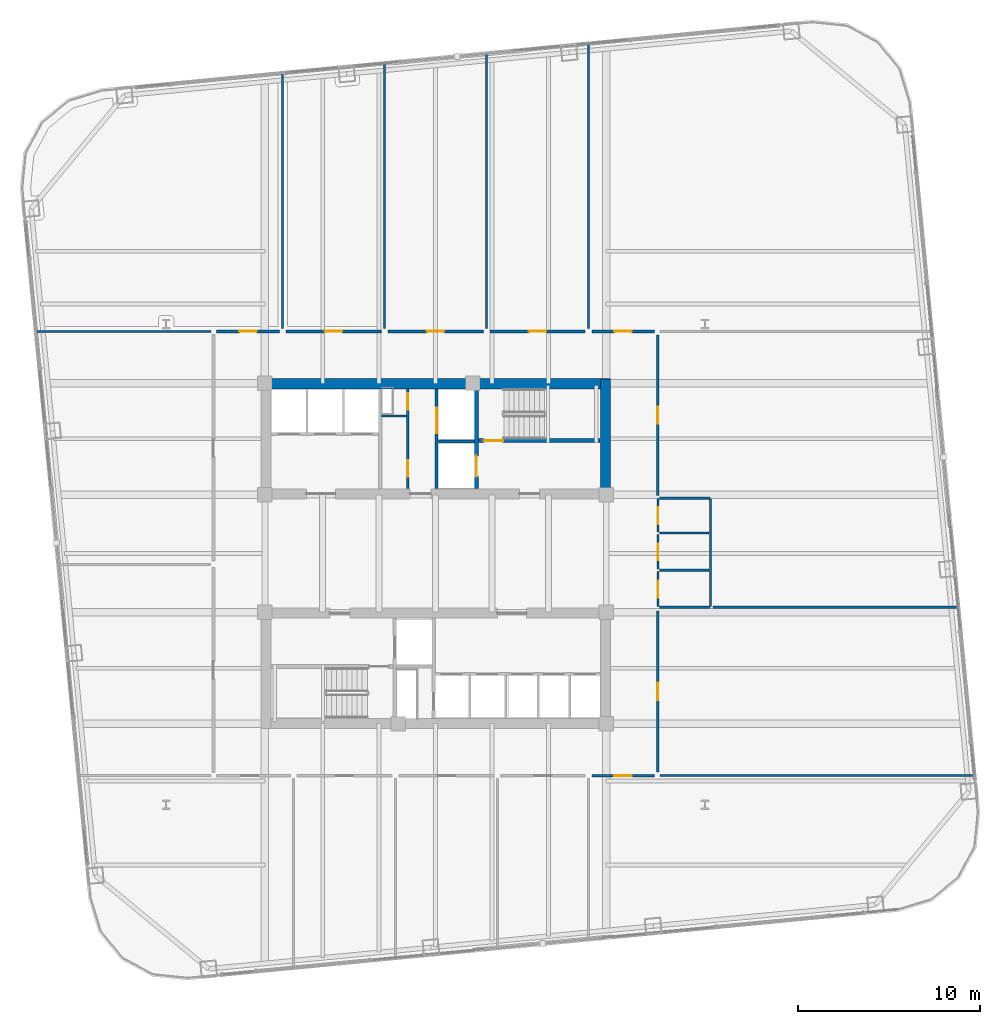
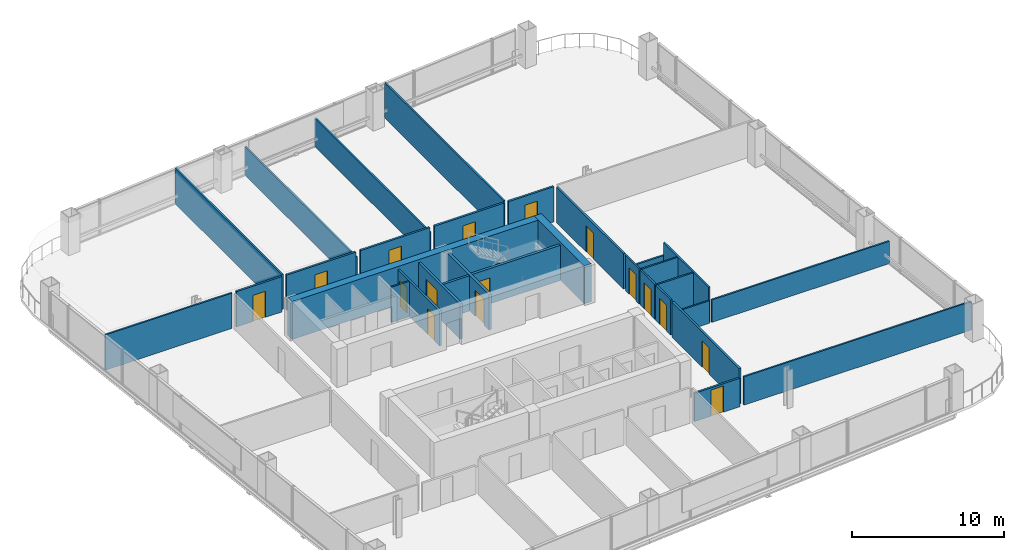
# One storey, part 30 of 34: 31 walls, 16 doors, 16 openings.
"""IFC4 building model written with IfcOpenShell, lengths in metres."""

import ifcopenshell
import ifcopenshell.guid

model = None  # the IFC model being written
_history = None  # IfcOwnerHistory: only IFC2X3 demands one
_inside = {}  # id of a spatial element -> (the spatial element, [elements in it])
_under = {}  # id of a project, library or spatial element -> (it, [spatial elements below it])
_declared = {}  # id of a project -> (the project, [libraries it declares])
_typed = {}  # id of a type object -> (the type object, [elements of that type])
_made_of = {}  # id of a material, layer set ... -> (it, [elements and type objects made of it])


def new_model(schema):
    """Start an empty IFC model of exactly this schema.

    Asked for "IFC4X3", IfcOpenShell would pick the latest addendum, in which some entities
    have other attributes; the version numbers below select the first issue.
    IFC2X3 requires an IfcOwnerHistory on every rooted entity: one is made here for all.
    """
    global model, _history
    if schema == "IFC4X3":
        model = ifcopenshell.file(schema_version=(4, 3, 0, 0))
    else:
        model = ifcopenshell.file(schema=schema)
    _inside.clear()
    _under.clear()
    _declared.clear()
    _typed.clear()
    _made_of.clear()
    _history = None
    if model.schema == "IFC2X3":
        org = make("IfcOrganization", Name="unknown")
        user = make(
            "IfcPersonAndOrganization",
            ThePerson=make("IfcPerson", FamilyName="unknown"),
            TheOrganization=org,
        )
        app = make(
            "IfcApplication",
            ApplicationDeveloper=org,
            Version="unknown",
            ApplicationFullName="unknown",
            ApplicationIdentifier="unknown",
        )
        _history = make(
            "IfcOwnerHistory",
            OwningUser=user,
            OwningApplication=app,
            ChangeAction="ADDED",
            CreationDate=0,
        )
    return model


def make(cls, **values):
    """One entity of the class cls with the attributes given. An attribute that is None is left unset."""
    return model.create_entity(
        cls, **{name: value for name, value in values.items() if value is not None}
    )


def rooted(cls, **values):
    """An entity with a GlobalId (a new one), such as an element, a storey or a relation."""
    return make(cls, GlobalId=ifcopenshell.guid.new(), OwnerHistory=_history, **values)


def si_unit(unit_type, name, prefix=None):
    """IfcSIUnit, for example si_unit("LENGTHUNIT", "METRE", prefix="MILLI")."""
    return make("IfcSIUnit", UnitType=unit_type, Prefix=prefix, Name=name)


def assignment(units):
    """IfcUnitAssignment: the units of a project."""
    return None if units is None else make("IfcUnitAssignment", Units=units)


def point(xyz):
    """IfcCartesianPoint."""
    return None if xyz is None else make("IfcCartesianPoint", Coordinates=xyz)


def direction(xyz):
    """IfcDirection."""
    return None if xyz is None else make("IfcDirection", DirectionRatios=xyz)


def frame(location, z_axis=None, x_axis=None):
    """IfcAxis2Placement3D, a coordinate frame: its origin and axes. An axis left out is left unset."""
    return make(
        "IfcAxis2Placement3D",
        Location=point(location),
        Axis=direction(z_axis),
        RefDirection=direction(x_axis),
    )


def frame_2d(location, x_axis=None):
    """IfcAxis2Placement2D, a coordinate frame in the plane: its origin and x axis."""
    return make(
        "IfcAxis2Placement2D", Location=point(location), RefDirection=direction(x_axis)
    )


def origin():
    """The frame at (0, 0, 0) with its axes left unset."""
    return frame((0.0, 0.0, 0.0))


def place(relative_to, where):
    """IfcLocalPlacement: puts the frame where relative to a parent placement (None: the world)."""
    return make(
        "IfcLocalPlacement", PlacementRelTo=relative_to, RelativePlacement=where
    )


def context(
    kind, dimensions, precision=None, world=None, true_north=None, identifier=None
):
    """IfcGeometricRepresentationContext, for example the 3D "Model" context."""
    return make(
        "IfcGeometricRepresentationContext",
        ContextIdentifier=identifier,
        ContextType=kind,
        CoordinateSpaceDimension=dimensions,
        Precision=precision,
        WorldCoordinateSystem=world,
        TrueNorth=true_north,
    )


def subcontext(parent, identifier, kind, view, scale=None):
    """IfcGeometricRepresentationSubContext, for example "Body" below "Model"."""
    return make(
        "IfcGeometricRepresentationSubContext",
        ContextIdentifier=identifier,
        ContextType=kind,
        ParentContext=parent,
        TargetScale=scale,
        TargetView=view,
    )


def project(units=None, contexts=None):
    """IfcProject with its units and contexts."""
    return rooted(
        "IfcProject",
        Name="project",
        RepresentationContexts=contexts,
        UnitsInContext=assignment(units),
    )


def spatial(cls, under=None, at=None, **own):
    """A site, building, storey or space (cls), placed at a placement, below another one or the project."""
    s = rooted(cls, ObjectPlacement=at, **own)
    if under is not None:
        _under.setdefault(under.id(), (under, []))[1].append(s)
    return s


def profile(cls, at=None, kind="AREA", **sizes):
    """A parametric profile (cls). Its sizes go by their IFC names, for example OverallWidth=200.0."""
    return make(cls, ProfileType=kind, Position=at, **sizes)


def rectangle(**sizes):
    """IfcRectangleProfileDef."""
    return profile("IfcRectangleProfileDef", **sizes)


def extrude(swept, where, along, depth):
    """IfcExtrudedAreaSolid: the profile swept, set in the frame where, extruded along a direction by depth."""
    return make(
        "IfcExtrudedAreaSolid",
        SweptArea=swept,
        Position=where,
        ExtrudedDirection=direction(along),
        Depth=depth,
    )


def shape(context_of_items, identifier, shape_type, items):
    """IfcShapeRepresentation: the items that make up one representation, for example the "Body"."""
    return make(
        "IfcShapeRepresentation",
        ContextOfItems=context_of_items,
        RepresentationIdentifier=identifier,
        RepresentationType=shape_type,
        Items=items,
    )


def material(Name=None, Category=None):
    """IfcMaterial."""
    return make("IfcMaterial", Name=Name, Category=Category)


def layer(
    of_material, thickness, ventilated=None, Name=None, Category=None, Priority=None
):
    """IfcMaterialLayer: one layer of a wall or slab, of a material (None: an air gap)."""
    return make(
        "IfcMaterialLayer",
        Material=of_material,
        LayerThickness=thickness,
        IsVentilated=ventilated,
        Name=Name,
        Category=Category,
        Priority=Priority,
    )


def layer_set(layers, Name=None):
    """IfcMaterialLayerSet."""
    return make("IfcMaterialLayerSet", MaterialLayers=layers, LayerSetName=Name)


def made_of(thing, what):
    """Note that an element or type object is made of a material, layer set ...; save() writes the relation."""
    if what is not None:
        _made_of.setdefault(what.id(), (what, []))[1].append(thing)
    return thing


def type_object(cls, material=None, **own):
    """A type object (cls), such as IfcWallType, which elements share."""
    return made_of(rooted(cls, **own), material)


def element(
    cls,
    number,
    at=None,
    inside=None,
    cuts=None,
    type_object=None,
    material=None,
    context=None,
    identifier="Body",
    shape_type=None,
    held_by="IfcProductDefinitionShape",
    body=None,
    shapes=None,
    **own,
):
    """One element of the class cls, such as IfcWall. Its Tag is "e" and its number.

    at: its placement. inside: the storey or other place that contains it. cuts: it is an
    opening in that element (IfcRelVoidsElement). A single representation is given by context,
    identifier, shape_type and body (its items); several are given by shapes. held_by: the class
    of the entity that holds the representations. save() writes the other relations.
    """
    e = rooted(cls, Tag="e%d" % number, ObjectPlacement=at, **own)
    if body is not None:
        shapes = [shape(context, identifier, shape_type, body)]
    if shapes is not None:
        e.Representation = make(held_by, Representations=shapes)
    if inside is not None:
        _inside.setdefault(inside.id(), (inside, []))[1].append(e)
    if cuts is not None:
        rooted(
            "IfcRelVoidsElement", RelatingBuildingElement=cuts, RelatedOpeningElement=e
        )
    if type_object is not None:
        _typed.setdefault(type_object.id(), (type_object, []))[1].append(e)
    return made_of(e, material)


def fill(opening, filler):
    """IfcRelFillsElement: the door or window that sits in an opening."""
    return rooted(
        "IfcRelFillsElement",
        RelatingOpeningElement=opening,
        RelatedBuildingElement=filler,
    )


def aggregate(whole, parts):
    """IfcRelAggregates: a whole, such as a stair, and the parts it consists of."""
    return rooted("IfcRelAggregates", RelatingObject=whole, RelatedObjects=parts)


def save(model, path):
    """Write the relations noted so far, then the file.

    IfcRelAggregates (storeys below a building ...), IfcRelContainedInSpatialStructure (elements
    in a storey), IfcRelDefinesByType, IfcRelAssociatesMaterial and IfcRelDeclares: one each for
    every whole, place, type object, material and project.
    """
    for whole, parts in _under.values():
        aggregate(whole, parts)
    for where, things in _inside.values():
        rooted(
            "IfcRelContainedInSpatialStructure",
            RelatedElements=things,
            RelatingStructure=where,
        )
    for kind, things in _typed.values():
        rooted("IfcRelDefinesByType", RelatedObjects=things, RelatingType=kind)
    for what, things in _made_of.values():
        rooted("IfcRelAssociatesMaterial", RelatedObjects=things, RelatingMaterial=what)
    for by, libraries in _declared.values():
        rooted("IfcRelDeclares", RelatingContext=by, RelatedDefinitions=libraries)
    model.write(path)


model = new_model("IFC4")

# Units and contexts
model_context = context("Model", 3, precision=1e-05, world=origin(), true_north=direction((0.0, 1.0)))
body_context = subcontext(model_context, "Body", "Model", "MODEL_VIEW")
ifc_project = project(units=[si_unit("LENGTHUNIT", "METRE"), si_unit("AREAUNIT", "SQUARE_METRE"), si_unit("VOLUMEUNIT", "CUBIC_METRE"), si_unit("PLANEANGLEUNIT", "RADIAN"), si_unit("MASSUNIT", "GRAM", prefix="KILO")], contexts=[model_context])

# Site, building, storey
site_placement = place(None, origin())
site = spatial("IfcSite", under=ifc_project, at=site_placement, CompositionType="ELEMENT")
building_placement = place(site_placement, origin())
building = spatial("IfcBuilding", under=site, at=building_placement, Name="Qhalaya Broadcast Tower", CompositionType="ELEMENT")
storey_placement = place(building_placement, frame((0.0, 0.0, 78.60009765625)))
storey = spatial("IfcBuildingStorey", under=building, at=storey_placement, Name="L22", CompositionType="ELEMENT", Elevation=78.60009765625)

# Wall, openings, doors
ifc_material_1 = material(Name="Gypsum Acoustic Partition")
ifc_layer_1 = layer(ifc_material_1, 0.14990234375, Name="Gypsum Acoustic Partition")
ifc_layer_set_1 = layer_set([ifc_layer_1], Name="Gypsum Acoustic Partition")
wall_type_1 = type_object("IfcWallType", Name="Corridor & Tenancy Acoustic Partition 150", PredefinedType="PARTITIONING", material=ifc_layer_set_1)
wall_1_placement = place(storey_placement, frame((-1.52001953125, 4.169921875, 0.0), z_axis=(0.0, 0.0, 1.0), x_axis=(0.0, 1.0, 0.0)))
wall_1 = element("IfcWall", 1, at=wall_1_placement, inside=storey, type_object=wall_type_1, Name="L22 Partition Wall NCW-SVL", PredefinedType="PARTITIONING", context=body_context, shape_type="SweptSolid", body=[
    extrude(rectangle(XDim=5.4599609375, YDim=0.14990234375, at=frame_2d((2.72998046875, 0.0))), origin(), (0.0, 0.0, 1.0), 2.829833984375),
])
opening_1_placement = place(wall_1_placement, frame((4.330078125, 0.0, 0.0)))
opening_1 = element("IfcOpeningElement", 2, at=opening_1_placement, cuts=wall_1, Name="Opening D06", PredefinedType="OPENING", context=body_context, shape_type="SweptSolid", body=[
    extrude(rectangle(XDim=0.89990234375, YDim=2.050048828125, at=frame_2d((0.449951171875, 1.02490234375))), frame((0.0, 0.0869140625, 0.0), z_axis=(0.0, -1.0, 0.0), x_axis=(1.0, 0.0, 0.0)), (0.0, 0.0, 1.0), 0.173828125),
])
opening_2_placement = place(wall_1_placement, frame((0.64990234375, 0.0, 0.0)))
opening_2 = element("IfcOpeningElement", 3, at=opening_2_placement, cuts=wall_1, Name="Opening D06", PredefinedType="OPENING", context=body_context, shape_type="SweptSolid", body=[
    extrude(rectangle(XDim=0.89990234375, YDim=2.050048828125, at=frame_2d((0.449951171875, 1.02490234375))), frame((0.0, 0.0869140625, 0.0), z_axis=(0.0, -1.0, 0.0), x_axis=(1.0, 0.0, 0.0)), (0.0, 0.0, 1.0), 0.173828125),
])
ifc_material_2 = material(Name="Fire-Rated Steel Door", Category="steel")
door_type_1 = type_object("IfcDoorType", Name="Riser & Electrical Shaft Access Door D06", OperationType="NOTDEFINED", PredefinedType="DOOR", material=ifc_material_2)
door_1_placement = place(opening_1_placement, origin())
door_1 = element("IfcDoor", 4, at=door_1_placement, inside=storey, type_object=door_type_1, Name="L22 Riser Shaft Access Door D-NRSR", OperationType="SINGLE_SWING_RIGHT", OverallHeight=2.050048828125, OverallWidth=0.89990234375, PredefinedType="DOOR", context=body_context, shape_type="SweptSolid", body=[
    extrude(rectangle(XDim=0.89990234375, YDim=2.050048828125, at=frame_2d((0.449951171875, 1.02490234375))), frame((0.0, 0.02490234375, 0.0), z_axis=(0.0, -1.0, 0.0), x_axis=(1.0, 0.0, 0.0)), (0.0, 0.0, 1.0), 0.050048828125),
])
fill(opening_1, door_1)
door_2_placement = place(opening_2_placement, origin())
door_2 = element("IfcDoor", 5, at=door_2_placement, inside=storey, type_object=door_type_1, Name="L22 Door D-NCST", OperationType="SINGLE_SWING_LEFT", OverallHeight=2.050048828125, OverallWidth=0.89990234375, PredefinedType="DOOR", context=body_context, shape_type="SweptSolid", body=[
    extrude(rectangle(XDim=0.89990234375, YDim=2.050048828125, at=frame_2d((0.449951171875, 1.02490234375))), frame((0.0, 0.02490234375, 0.0), z_axis=(0.0, -1.0, 0.0), x_axis=(1.0, 0.0, 0.0)), (0.0, 0.0, 1.0), 0.050048828125),
])
fill(opening_2, door_2)

# Wall, opening, door
wall_2_placement = place(storey_placement, frame((-12.02001953125, 12.800048828125, 0.0), z_axis=(0.0, 0.0, 1.0), x_axis=(1.0, 0.0, 0.0)))
wall_2 = element("IfcWall", 6, at=wall_2_placement, inside=storey, type_object=wall_type_1, Name="L22 Partition Wall W-COR-01", PredefinedType="PARTITIONING", context=body_context, shape_type="SweptSolid", body=[
    extrude(rectangle(XDim=3.43994140625, YDim=0.14990234375, at=frame_2d((1.719970703125, 0.0))), origin(), (0.0, 0.0, 1.0), 2.829833984375),
])
opening_3_placement = place(wall_2_placement, frame((1.2451171875, 0.0, 0.0)))
opening_3 = element("IfcOpeningElement", 7, at=opening_3_placement, cuts=wall_2, Name="Opening D10", PredefinedType="OPENING", context=body_context, shape_type="SweptSolid", body=[
    extrude(rectangle(XDim=0.949951171875, YDim=2.10009765625, at=frame_2d((0.47509765625, 1.050048828125))), frame((0.0, 0.0869140625, 0.0), z_axis=(0.0, -1.0, 0.0), x_axis=(1.0, 0.0, 0.0)), (0.0, 0.0, 1.0), 0.173828125),
])
ifc_material_3 = material(Name="Timber Veneer Acoustic Door", Category="wood")
door_type_2 = type_object("IfcDoorType", Name="Cellular Office & Edit Booth Door D10", OperationType="NOTDEFINED", PredefinedType="DOOR", material=ifc_material_3)
door_3_placement = place(opening_3_placement, origin())
door_3 = element("IfcDoor", 8, at=door_3_placement, inside=storey, type_object=door_type_2, Name="L22 Door D-RM01", OperationType="SINGLE_SWING_RIGHT", OverallHeight=2.10009765625, OverallWidth=0.949951171875, PredefinedType="DOOR", context=body_context, shape_type="SweptSolid", body=[
    extrude(rectangle(XDim=0.949951171875, YDim=2.10009765625, at=frame_2d((0.47509765625, 1.050048828125))), frame((0.0, 0.02490234375, 0.0), z_axis=(0.0, -1.0, 0.0), x_axis=(1.0, 0.0, 0.0)), (0.0, 0.0, 1.0), 0.050048828125),
])
fill(opening_3, door_3)

wall_3_placement = place(storey_placement, frame((-8.219970703125, 12.800048828125, 0.0), z_axis=(0.0, 0.0, 1.0), x_axis=(1.0, 0.0, 0.0)))
wall_3 = element("IfcWall", 9, at=wall_3_placement, inside=storey, type_object=wall_type_1, Name="L22 Partition Wall W-COR-02", PredefinedType="PARTITIONING", context=body_context, shape_type="SweptSolid", body=[
    extrude(rectangle(XDim=5.239990234375, YDim=0.14990234375, at=frame_2d((2.6201171875, 0.0))), origin(), (0.0, 0.0, 1.0), 2.829833984375),
])
opening_4_placement = place(wall_3_placement, frame((2.14501953125, 0.0, 0.0)))
opening_4 = element("IfcOpeningElement", 10, at=opening_4_placement, cuts=wall_3, Name="Opening D10", PredefinedType="OPENING", context=body_context, shape_type="SweptSolid", body=[
    extrude(rectangle(XDim=0.949951171875, YDim=2.10009765625, at=frame_2d((0.47509765625, 1.050048828125))), frame((0.0, 0.0869140625, 0.0), z_axis=(0.0, -1.0, 0.0), x_axis=(1.0, 0.0, 0.0)), (0.0, 0.0, 1.0), 0.173828125),
])
door_4_placement = place(opening_4_placement, origin())
door_4 = element("IfcDoor", 11, at=door_4_placement, inside=storey, type_object=door_type_2, Name="L22 Door D-RM02", OperationType="SINGLE_SWING_LEFT", OverallHeight=2.10009765625, OverallWidth=0.949951171875, PredefinedType="DOOR", context=body_context, shape_type="SweptSolid", body=[
    extrude(rectangle(XDim=0.949951171875, YDim=2.10009765625, at=frame_2d((0.47509765625, 1.050048828125))), frame((0.0, 0.02490234375, 0.0), z_axis=(0.0, -1.0, 0.0), x_axis=(1.0, 0.0, 0.0)), (0.0, 0.0, 1.0), 0.050048828125),
])
fill(opening_4, door_4)

wall_4_placement = place(storey_placement, frame((-2.6201171875, 12.800048828125, 0.0), z_axis=(0.0, 0.0, 1.0), x_axis=(1.0, 0.0, 0.0)))
wall_4 = element("IfcWall", 12, at=wall_4_placement, inside=storey, type_object=wall_type_1, Name="L22 Partition Wall W-COR-03", PredefinedType="PARTITIONING", context=body_context, shape_type="SweptSolid", body=[
    extrude(rectangle(XDim=5.240234375, YDim=0.14990234375, at=frame_2d((2.6201171875, 0.0))), origin(), (0.0, 0.0, 1.0), 2.829833984375),
])
opening_5_placement = place(wall_4_placement, frame((2.14501953125, 0.0, 0.0)))
opening_5 = element("IfcOpeningElement", 13, at=opening_5_placement, cuts=wall_4, Name="Opening D10", PredefinedType="OPENING", context=body_context, shape_type="SweptSolid", body=[
    extrude(rectangle(XDim=0.949951171875, YDim=2.10009765625, at=frame_2d((0.47509765625, 1.050048828125))), frame((0.0, 0.0869140625, 0.0), z_axis=(0.0, -1.0, 0.0), x_axis=(1.0, 0.0, 0.0)), (0.0, 0.0, 1.0), 0.173828125),
])
door_5_placement = place(opening_5_placement, origin())
door_5 = element("IfcDoor", 14, at=door_5_placement, inside=storey, type_object=door_type_2, Name="L22 Door D-RM03", OperationType="SINGLE_SWING_RIGHT", OverallHeight=2.10009765625, OverallWidth=0.949951171875, PredefinedType="DOOR", context=body_context, shape_type="SweptSolid", body=[
    extrude(rectangle(XDim=0.949951171875, YDim=2.10009765625, at=frame_2d((0.47509765625, 1.050048828125))), frame((0.0, 0.02490234375, 0.0), z_axis=(0.0, -1.0, 0.0), x_axis=(1.0, 0.0, 0.0)), (0.0, 0.0, 1.0), 0.050048828125),
])
fill(opening_5, door_5)

wall_5_placement = place(storey_placement, frame((2.97998046875, 12.800048828125, 0.0), z_axis=(0.0, 0.0, 1.0), x_axis=(1.0, 0.0, 0.0)))
wall_5 = element("IfcWall", 15, at=wall_5_placement, inside=storey, type_object=wall_type_1, Name="L22 Partition Wall W-COR-04", PredefinedType="PARTITIONING", context=body_context, shape_type="SweptSolid", body=[
    extrude(rectangle(XDim=5.239990234375, YDim=0.14990234375, at=frame_2d((2.6201171875, 0.0))), origin(), (0.0, 0.0, 1.0), 2.829833984375),
])
opening_6_placement = place(wall_5_placement, frame((2.14501953125, 0.0, 0.0)))
opening_6 = element("IfcOpeningElement", 16, at=opening_6_placement, cuts=wall_5, Name="Opening D10", PredefinedType="OPENING", context=body_context, shape_type="SweptSolid", body=[
    extrude(rectangle(XDim=0.949951171875, YDim=2.10009765625, at=frame_2d((0.47509765625, 1.050048828125))), frame((0.0, 0.0869140625, 0.0), z_axis=(0.0, -1.0, 0.0), x_axis=(1.0, 0.0, 0.0)), (0.0, 0.0, 1.0), 0.173828125),
])
door_6_placement = place(opening_6_placement, origin())
door_6 = element("IfcDoor", 17, at=door_6_placement, inside=storey, type_object=door_type_2, Name="L22 Door D-RM04", OperationType="SINGLE_SWING_LEFT", OverallHeight=2.10009765625, OverallWidth=0.949951171875, PredefinedType="DOOR", context=body_context, shape_type="SweptSolid", body=[
    extrude(rectangle(XDim=0.949951171875, YDim=2.10009765625, at=frame_2d((0.47509765625, 1.050048828125))), frame((0.0, 0.02490234375, 0.0), z_axis=(0.0, -1.0, 0.0), x_axis=(1.0, 0.0, 0.0)), (0.0, 0.0, 1.0), 0.050048828125),
])
fill(opening_6, door_6)

wall_6_placement = place(storey_placement, frame((8.580078125, 12.800048828125, 0.0), z_axis=(0.0, 0.0, 1.0), x_axis=(1.0, 0.0, 0.0)))
wall_6 = element("IfcWall", 18, at=wall_6_placement, inside=storey, type_object=wall_type_1, Name="L22 Partition Wall W-COR-05", PredefinedType="PARTITIONING", context=body_context, shape_type="SweptSolid", body=[
    extrude(rectangle(XDim=3.43994140625, YDim=0.14990234375, at=frame_2d((1.719970703125, 0.0))), origin(), (0.0, 0.0, 1.0), 2.829833984375),
])
opening_7_placement = place(wall_6_placement, frame((1.2451171875, 0.0, 0.0)))
opening_7 = element("IfcOpeningElement", 19, at=opening_7_placement, cuts=wall_6, Name="Opening D10", PredefinedType="OPENING", context=body_context, shape_type="SweptSolid", body=[
    extrude(rectangle(XDim=0.949951171875, YDim=2.10009765625, at=frame_2d((0.47509765625, 1.050048828125))), frame((0.0, 0.0869140625, 0.0), z_axis=(0.0, -1.0, 0.0), x_axis=(1.0, 0.0, 0.0)), (0.0, 0.0, 1.0), 0.173828125),
])
door_7_placement = place(opening_7_placement, origin())
door_7 = element("IfcDoor", 20, at=door_7_placement, inside=storey, type_object=door_type_2, Name="L22 Door D-RM05", OperationType="SINGLE_SWING_RIGHT", OverallHeight=2.10009765625, OverallWidth=0.949951171875, PredefinedType="DOOR", context=body_context, shape_type="SweptSolid", body=[
    extrude(rectangle(XDim=0.949951171875, YDim=2.10009765625, at=frame_2d((0.47509765625, 1.050048828125))), frame((0.0, 0.02490234375, 0.0), z_axis=(0.0, -1.0, 0.0), x_axis=(1.0, 0.0, 0.0)), (0.0, 0.0, 1.0), 0.050048828125),
])
fill(opening_7, door_7)

wall_7_placement = place(storey_placement, frame((8.580078125, -11.60009765625, 0.0), z_axis=(0.0, 0.0, 1.0), x_axis=(1.0, 0.0, 0.0)))
wall_7 = element("IfcWall", 21, at=wall_7_placement, inside=storey, type_object=wall_type_1, Name="L22 Partition Wall W-COR-10", PredefinedType="PARTITIONING", context=body_context, shape_type="SweptSolid", body=[
    extrude(rectangle(XDim=3.43994140625, YDim=0.14990234375, at=frame_2d((1.719970703125, 0.0))), origin(), (0.0, 0.0, 1.0), 2.27392578125),
])
opening_8_placement = place(wall_7_placement, frame((1.2451171875, 0.0, 0.0)))
opening_8 = element("IfcOpeningElement", 22, at=opening_8_placement, cuts=wall_7, Name="Opening D10", PredefinedType="OPENING", context=body_context, shape_type="SweptSolid", body=[
    extrude(rectangle(XDim=0.949951171875, YDim=2.10009765625, at=frame_2d((0.47509765625, 1.050048828125))), frame((0.0, 0.0869140625, 0.0), z_axis=(0.0, -1.0, 0.0), x_axis=(1.0, 0.0, 0.0)), (0.0, 0.0, 1.0), 0.173828125),
])
door_8_placement = place(opening_8_placement, origin())
door_8 = element("IfcDoor", 23, at=door_8_placement, inside=storey, type_object=door_type_2, Name="L22 Door D-RM10", OperationType="SINGLE_SWING_LEFT", OverallHeight=2.10009765625, OverallWidth=0.949951171875, PredefinedType="DOOR", context=body_context, shape_type="SweptSolid", body=[
    extrude(rectangle(XDim=0.949951171875, YDim=2.10009765625, at=frame_2d((0.47509765625, 1.050048828125))), frame((0.0, 0.02490234375, 0.0), z_axis=(0.0, -1.0, 0.0), x_axis=(1.0, 0.0, 0.0)), (0.0, 0.0, 1.0), 0.050048828125),
])
fill(opening_8, door_8)

wall_8_placement = place(storey_placement, frame((12.199951171875, -11.39990234375, 0.0), z_axis=(0.0, 0.0, 1.0), x_axis=(0.0, 1.0, 0.0)))
wall_8 = element("IfcWall", 24, at=wall_8_placement, inside=storey, type_object=wall_type_1, Name="L22 Partition Wall W-COR-13", PredefinedType="PARTITIONING", context=body_context, shape_type="SweptSolid", body=[
    extrude(rectangle(XDim=8.83984375, YDim=0.14990234375, at=frame_2d((4.419921875, 0.0))), origin(), (0.0, 0.0, 1.0), 2.829833984375),
])
opening_9_placement = place(wall_8_placement, frame((3.945068359375, 0.0, 0.0)))
opening_9 = element("IfcOpeningElement", 25, at=opening_9_placement, cuts=wall_8, Name="Opening D10", PredefinedType="OPENING", context=body_context, shape_type="SweptSolid", body=[
    extrude(rectangle(XDim=0.949951171875, YDim=2.10009765625, at=frame_2d((0.47509765625, 1.050048828125))), frame((0.0, 0.0869140625, 0.0), z_axis=(0.0, -1.0, 0.0), x_axis=(1.0, 0.0, 0.0)), (0.0, 0.0, 1.0), 0.173828125),
])
door_9_placement = place(opening_9_placement, origin())
door_9 = element("IfcDoor", 26, at=door_9_placement, inside=storey, type_object=door_type_2, Name="L22 Door D-RM13", OperationType="SINGLE_SWING_RIGHT", OverallHeight=2.10009765625, OverallWidth=0.949951171875, PredefinedType="DOOR", context=body_context, shape_type="SweptSolid", body=[
    extrude(rectangle(XDim=0.949951171875, YDim=2.10009765625, at=frame_2d((0.47509765625, 1.050048828125))), frame((0.0, 0.02490234375, 0.0), z_axis=(0.0, -1.0, 0.0), x_axis=(1.0, 0.0, 0.0)), (0.0, 0.0, 1.0), 0.050048828125),
])
fill(opening_9, door_9)

wall_9_placement = place(storey_placement, frame((12.199951171875, 3.800048828125, 0.0), z_axis=(0.0, 0.0, 1.0), x_axis=(0.0, 1.0, 0.0)))
wall_9 = element("IfcWall", 27, at=wall_9_placement, inside=storey, type_object=wall_type_1, Name="L22 Partition Wall W-COR-14", PredefinedType="PARTITIONING", context=body_context, shape_type="SweptSolid", body=[
    extrude(rectangle(XDim=8.800048828125, YDim=0.14990234375, at=frame_2d((4.39990234375, 0.0))), origin(), (0.0, 0.0, 1.0), 2.829833984375),
])
opening_10_placement = place(wall_9_placement, frame((3.925048828125, 0.0, 0.0)))
opening_10 = element("IfcOpeningElement", 28, at=opening_10_placement, cuts=wall_9, Name="Opening D10", PredefinedType="OPENING", context=body_context, shape_type="SweptSolid", body=[
    extrude(rectangle(XDim=0.949951171875, YDim=2.10009765625, at=frame_2d((0.47509765625, 1.050048828125))), frame((0.0, 0.0869140625, 0.0), z_axis=(0.0, -1.0, 0.0), x_axis=(1.0, 0.0, 0.0)), (0.0, 0.0, 1.0), 0.173828125),
])
door_10_placement = place(opening_10_placement, origin())
door_10 = element("IfcDoor", 29, at=door_10_placement, inside=storey, type_object=door_type_2, Name="L22 Door D-RM14", OperationType="SINGLE_SWING_LEFT", OverallHeight=2.10009765625, OverallWidth=0.949951171875, PredefinedType="DOOR", context=body_context, shape_type="SweptSolid", body=[
    extrude(rectangle(XDim=0.949951171875, YDim=2.10009765625, at=frame_2d((0.47509765625, 1.050048828125))), frame((0.0, 0.02490234375, 0.0), z_axis=(0.0, -1.0, 0.0), x_axis=(1.0, 0.0, 0.0)), (0.0, 0.0, 1.0), 0.050048828125),
])
fill(opening_10, door_10)

ifc_material_4 = material(Name="Concrete C50/60", Category="concrete")
ifc_layer_2 = layer(ifc_material_4, 0.199951171875, Name="Concrete C50/60")
ifc_layer_set_2 = layer_set([ifc_layer_2], Name="Concrete C50/60")
wall_type_2 = type_object("IfcWallType", Name="Load-Bearing Stair Shaft Wall 200", PredefinedType="SHEAR", material=ifc_layer_set_2)
wall_10_placement = place(storey_placement, frame((2.360107421875, 6.804931640625, 0.0), z_axis=(0.0, 0.0, 1.0), x_axis=(1.0, 0.0, 0.0)))
wall_10 = element("IfcWall", 30, at=wall_10_placement, inside=storey, type_object=wall_type_2, Name="L22 Stair Core Shear Wall NCW-ST1", PredefinedType="SHEAR", context=body_context, shape_type="SweptSolid", body=[
    extrude(rectangle(XDim=6.669921875, YDim=0.199951171875, at=frame_2d((3.3349609375, 0.0))), origin(), (0.0, 0.0, 1.0), 2.829833984375),
])
opening_11_placement = place(wall_10_placement, frame((0.300048828125, 0.0, 0.0)))
opening_11 = element("IfcOpeningElement", 31, at=opening_11_placement, cuts=wall_10, Name="Opening D03", PredefinedType="OPENING", context=body_context, shape_type="SweptSolid", body=[
    extrude(rectangle(XDim=1.050048828125, YDim=2.080078125, at=frame_2d((0.52490234375, 1.0400390625))), frame((0.0, 0.112060546875, 0.0), z_axis=(0.0, -1.0, 0.0), x_axis=(1.0, 0.0, 0.0)), (0.0, 0.0, 1.0), 0.223876953125),
])
door_type_3 = type_object("IfcDoorType", Name="Core Stair Protected Fire Door D03", OperationType="NOTDEFINED", PredefinedType="DOOR", material=ifc_material_2)
door_11_placement = place(opening_11_placement, origin())
door_11 = element("IfcDoor", 32, at=door_11_placement, inside=storey, type_object=door_type_3, Name="L22 Door D-NST1", OperationType="SINGLE_SWING_LEFT", OverallHeight=2.080078125, OverallWidth=1.050048828125, PredefinedType="DOOR", context=body_context, shape_type="SweptSolid", body=[
    extrude(rectangle(XDim=1.050048828125, YDim=2.080078125, at=frame_2d((0.52490234375, 1.0400390625))), frame((0.0, 0.02490234375, 0.0), z_axis=(0.0, -1.0, 0.0), x_axis=(1.0, 0.0, 0.0)), (0.0, 0.0, 1.0), 0.050048828125),
])
fill(opening_11, door_11)

wall_11_placement = place(storey_placement, frame((2.25, 4.169921875, 0.0), z_axis=(0.0, 0.0, 1.0), x_axis=(0.0, 1.0, 0.0)))
wall_11 = element("IfcWall", 33, at=wall_11_placement, inside=storey, type_object=wall_type_2, Name="L22 Stair Core Shear Wall NCW-FF", PredefinedType="SHEAR", context=body_context, shape_type="SweptSolid", body=[
    extrude(rectangle(XDim=5.4599609375, YDim=0.199951171875, at=frame_2d((2.72998046875, 0.0))), origin(), (0.0, 0.0, 1.0), 2.829833984375),
])
opening_12_placement = place(wall_11_placement, frame((0.64990234375, 0.0, 0.0)))
opening_12 = element("IfcOpeningElement", 34, at=opening_12_placement, cuts=wall_11, Name="Opening LD2", PredefinedType="OPENING", context=body_context, shape_type="SweptSolid", body=[
    extrude(rectangle(XDim=1.14990234375, YDim=2.080078125, at=frame_2d((0.574951171875, 1.0400390625))), frame((0.0, 0.112060546875, 0.0), z_axis=(0.0, -1.0, 0.0), x_axis=(1.0, 0.0, 0.0)), (0.0, 0.0, 1.0), 0.223876953125),
])
ifc_material_5 = material(Name="Brushed Stainless Steel Lift Door", Category="steel")
door_type_4 = type_object("IfcDoorType", Name="Firefighting Lift Sliding Landing Door LD2", OperationType="DOUBLE_DOOR_SLIDING", PredefinedType="DOOR", material=ifc_material_5)
door_12_placement = place(opening_12_placement, origin())
door_12 = element("IfcDoor", 35, at=door_12_placement, inside=storey, type_object=door_type_4, Name="L22 Door LD-FF1", OperationType="DOUBLE_DOOR_SLIDING", OverallHeight=2.080078125, OverallWidth=1.14990234375, PredefinedType="DOOR", context=body_context, shape_type="SweptSolid", body=[
    extrude(rectangle(XDim=1.14990234375, YDim=2.080078125, at=frame_2d((0.574951171875, 1.0400390625))), frame((0.0, 0.02490234375, 0.0), z_axis=(0.0, -1.0, 0.0), x_axis=(1.0, 0.0, 0.0)), (0.0, 0.0, 1.0), 0.050048828125),
])
fill(opening_12, door_12)

# Walls
ifc_material_6 = material(Name="Concrete C60/75", Category="concrete")
ifc_layer_3 = layer(ifc_material_6, 0.550048828125, Name="Concrete C60/75")
ifc_layer_set_3 = layer_set([ifc_layer_3], Name="Concrete C60/75")
wall_type_3 = type_object("IfcWallType", Name="Lower Split-Core Shear Wall 550", PredefinedType="SHEAR", material=ifc_layer_set_3)
wall_12_placement = place(storey_placement, frame((-9.60009765625, 9.925048828125, 0.0), z_axis=(0.0, 0.0, 1.0), x_axis=(1.0, 0.0, 0.0)))
element("IfcWall", 36, at=wall_12_placement, inside=storey, type_object=wall_type_3, Name="L22 Split-Core Shear Wall CW-NN", PredefinedType="SHEAR", context=body_context, shape_type="SweptSolid", body=[
    extrude(rectangle(XDim=19.2001953125, YDim=0.550048828125, at=frame_2d((9.60009765625, 0.0))), origin(), (0.0, 0.0, 1.0), 3.0498046875),
])
wall_13_placement = place(storey_placement, frame((9.324951171875, 3.60009765625, 0.0), z_axis=(0.0, 0.0, 1.0), x_axis=(0.0, 1.0, 0.0)))
element("IfcWall", 37, at=wall_13_placement, inside=storey, type_object=wall_type_3, Name="L22 Split-Core Shear Wall CW-NE", PredefinedType="SHEAR", context=body_context, shape_type="SweptSolid", body=[
    extrude(rectangle(XDim=6.599853515625, YDim=0.550048828125, at=frame_2d((3.2998046875, 0.0))), origin(), (0.0, 0.0, 1.0), 3.0498046875),
])
ifc_layer_4 = layer(ifc_material_1, 0.1201171875, Name="Gypsum Acoustic Partition")
ifc_layer_set_4 = layer_set([ifc_layer_4], Name="Gypsum Acoustic Partition")
wall_type_4 = type_object("IfcWallType", Name="Office, Booth & Sanitary Partition 120", PredefinedType="PARTITIONING", material=ifc_layer_set_4)
wall_14_placement = place(storey_placement, frame((-2.9599609375, 8.14990234375, 0.0), z_axis=(0.0, 0.0, 1.0), x_axis=(1.0, 0.0, 0.0)))
element("IfcWall", 38, at=wall_14_placement, inside=storey, type_object=wall_type_4, Name="L22 Partition Wall NCW-VA", PredefinedType="PARTITIONING", context=body_context, shape_type="SweptSolid", body=[
    extrude(rectangle(XDim=1.35986328125, YDim=0.1201171875, at=frame_2d((0.679931640625, 0.0))), origin(), (0.0, 0.0, 1.0), 2.829833984375),
])

# Wall, opening, door
wall_15_placement = place(storey_placement, frame((12.219970703125, -2.320068359375, 0.0), z_axis=(0.0, 0.0, 1.0), x_axis=(0.0, 1.0, 0.0)))
wall_15 = element("IfcWall", 39, at=wall_15_placement, inside=storey, type_object=wall_type_4, Name="L22 Partition Wall W-WCWA", PredefinedType="PARTITIONING", context=body_context, shape_type="SweptSolid", body=[
    extrude(rectangle(XDim=1.940185546875, YDim=0.1201171875, at=frame_2d((0.97021484375, 0.0))), origin(), (0.0, 0.0, 1.0), 2.829833984375),
])
opening_13_placement = place(wall_15_placement, frame((0.4951171875, 0.0, 0.0)))
opening_13 = element("IfcOpeningElement", 40, at=opening_13_placement, cuts=wall_15, Name="Opening D12", PredefinedType="OPENING", context=body_context, shape_type="SweptSolid", body=[
    extrude(rectangle(XDim=0.919921875, YDim=2.10009765625, at=frame_2d((0.4599609375, 1.050048828125))), frame((0.0, 0.072021484375, 0.0), z_axis=(0.0, -1.0, 0.0), x_axis=(1.0, 0.0, 0.0)), (0.0, 0.0, 1.0), 0.14404296875),
])
door_type_5 = type_object("IfcDoorType", Name="Accessible WC & Restroom Door D12", OperationType="NOTDEFINED", PredefinedType="DOOR", material=ifc_material_3)
door_13_placement = place(opening_13_placement, origin())
door_13 = element("IfcDoor", 41, at=door_13_placement, inside=storey, type_object=door_type_5, Name="L22 Door D-WCA", OperationType="SINGLE_SWING_LEFT", OverallHeight=2.10009765625, OverallWidth=0.919921875, PredefinedType="DOOR", context=body_context, shape_type="SweptSolid", body=[
    extrude(rectangle(XDim=0.919921875, YDim=2.10009765625, at=frame_2d((0.4599609375, 1.050048828125))), frame((0.0, 0.02490234375, 0.0), z_axis=(0.0, -1.0, 0.0), x_axis=(1.0, 0.0, 0.0)), (0.0, 0.0, 1.0), 0.050048828125),
])
fill(opening_13, door_13)

wall_16_placement = place(storey_placement, frame((12.219970703125, -0.25, 0.0), z_axis=(0.0, 0.0, 1.0), x_axis=(0.0, 1.0, 0.0)))
wall_16 = element("IfcWall", 42, at=wall_16_placement, inside=storey, type_object=wall_type_4, Name="L22 Partition Wall W-WCWM", PredefinedType="PARTITIONING", context=body_context, shape_type="SweptSolid", body=[
    extrude(rectangle(XDim=1.89990234375, YDim=0.1201171875, at=frame_2d((0.949951171875, 0.0))), origin(), (0.0, 0.0, 1.0), 2.829833984375),
])
opening_14_placement = place(wall_16_placement, frame((0.47509765625, 0.0, 0.0)))
opening_14 = element("IfcOpeningElement", 43, at=opening_14_placement, cuts=wall_16, Name="Opening D12", PredefinedType="OPENING", context=body_context, shape_type="SweptSolid", body=[
    extrude(rectangle(XDim=0.919921875, YDim=2.10009765625, at=frame_2d((0.4599609375, 1.050048828125))), frame((0.0, 0.072021484375, 0.0), z_axis=(0.0, -1.0, 0.0), x_axis=(1.0, 0.0, 0.0)), (0.0, 0.0, 1.0), 0.14404296875),
])
door_14_placement = place(opening_14_placement, origin())
door_14 = element("IfcDoor", 44, at=door_14_placement, inside=storey, type_object=door_type_5, Name="L22 Door D-WCM", OperationType="SINGLE_SWING_RIGHT", OverallHeight=2.10009765625, OverallWidth=0.919921875, PredefinedType="DOOR", context=body_context, shape_type="SweptSolid", body=[
    extrude(rectangle(XDim=0.919921875, YDim=2.10009765625, at=frame_2d((0.4599609375, 1.050048828125))), frame((0.0, 0.02490234375, 0.0), z_axis=(0.0, -1.0, 0.0), x_axis=(1.0, 0.0, 0.0)), (0.0, 0.0, 1.0), 0.050048828125),
])
fill(opening_14, door_14)

wall_17_placement = place(storey_placement, frame((12.219970703125, 1.780029296875, 0.0), z_axis=(0.0, 0.0, 1.0), x_axis=(0.0, 1.0, 0.0)))
wall_17 = element("IfcWall", 45, at=wall_17_placement, inside=storey, type_object=wall_type_4, Name="L22 Partition Wall W-WCWF", PredefinedType="PARTITIONING", context=body_context, shape_type="SweptSolid", body=[
    extrude(rectangle(XDim=1.830078125, YDim=0.1201171875, at=frame_2d((0.9150390625, 0.0))), origin(), (0.0, 0.0, 1.0), 2.829833984375),
])
opening_15_placement = place(wall_17_placement, frame((0.43994140625, 0.0, 0.0)))
opening_15 = element("IfcOpeningElement", 46, at=opening_15_placement, cuts=wall_17, Name="Opening D12", PredefinedType="OPENING", context=body_context, shape_type="SweptSolid", body=[
    extrude(rectangle(XDim=0.919921875, YDim=2.10009765625, at=frame_2d((0.4599609375, 1.050048828125))), frame((0.0, 0.072021484375, 0.0), z_axis=(0.0, -1.0, 0.0), x_axis=(1.0, 0.0, 0.0)), (0.0, 0.0, 1.0), 0.14404296875),
])
door_15_placement = place(opening_15_placement, origin())
door_15 = element("IfcDoor", 47, at=door_15_placement, inside=storey, type_object=door_type_5, Name="L22 Door D-WCF", OperationType="SINGLE_SWING_LEFT", OverallHeight=2.10009765625, OverallWidth=0.919921875, PredefinedType="DOOR", context=body_context, shape_type="SweptSolid", body=[
    extrude(rectangle(XDim=0.919921875, YDim=2.10009765625, at=frame_2d((0.4599609375, 1.050048828125))), frame((0.0, 0.02490234375, 0.0), z_axis=(0.0, -1.0, 0.0), x_axis=(1.0, 0.0, 0.0)), (0.0, 0.0, 1.0), 0.050048828125),
])
fill(opening_15, door_15)

# Walls
wall_18_placement = place(storey_placement, frame((15.10009765625, -2.320068359375, 0.0), z_axis=(0.0, 0.0, 1.0), x_axis=(0.0, 1.0, 0.0)))
element("IfcWall", 48, at=wall_18_placement, inside=storey, type_object=wall_type_4, Name="L22 Partition Wall W-WCE", PredefinedType="PARTITIONING", context=body_context, shape_type="SweptSolid", body=[
    extrude(rectangle(XDim=5.93017578125, YDim=0.1201171875, at=frame_2d((2.965087890625, 0.0))), origin(), (0.0, 0.0, 1.0), 2.829833984375),
])
for number, where, z_axis, x_axis, name in (
    (49, (12.31005859375, -2.35009765625, 0.0), (0.0, 0.0, 1.0), (1.0, 0.0, 0.0), "L22 Partition Wall W-WCS"),
    (50, (12.31005859375, 3.639892578125, 0.0), (0.0, 0.0, 1.0), (1.0, 0.0, 0.0), "L22 Partition Wall W-WCN"),
):
    element("IfcWall", number, at=place(storey_placement, frame(where, z_axis=z_axis, x_axis=x_axis)), inside=storey, type_object=wall_type_4, Name=name, PredefinedType="PARTITIONING", context=body_context, shape_type="SweptSolid", body=[
        extrude(rectangle(XDim=2.760009765625, YDim=0.1201171875, at=frame_2d((1.3798828125, 0.0))), origin(), (0.0, 0.0, 1.0), 1.798828125),
    ])
for number, where, z_axis, x_axis, name in (
    (51, (12.31005859375, -0.320068359375, 0.0), (0.0, 0.0, 1.0), (1.0, 0.0, 0.0), "L22 Partition Wall W-WCD1"),
    (52, (12.31005859375, 1.719970703125, 0.0), (0.0, 0.0, 1.0), (1.0, 0.0, 0.0), "L22 Partition Wall W-WCD2"),
):
    element("IfcWall", number, at=place(storey_placement, frame(where, z_axis=z_axis, x_axis=x_axis)), inside=storey, type_object=wall_type_4, Name=name, PredefinedType="PARTITIONING", context=body_context, shape_type="SweptSolid", body=[
        extrude(rectangle(XDim=2.719970703125, YDim=0.1201171875, at=frame_2d((1.35986328125, 0.0))), origin(), (0.0, 0.0, 1.0), 2.829833984375),
    ])
wall_19_placement = place(storey_placement, frame((-21.94482421875, 12.800048828125, 0.0), z_axis=(0.0, 0.0, 1.0), x_axis=(1.0, 0.0, 0.0)))
element("IfcWall", 53, at=wall_19_placement, inside=storey, type_object=wall_type_4, Name="L22 Partition Wall W-BNDW1", PredefinedType="PARTITIONING", context=body_context, shape_type="SweptSolid", body=[
    extrude(rectangle(XDim=9.604736328125, YDim=0.1201171875, at=frame_2d((4.80224609375, 0.0))), origin(), (0.0, 0.0, 1.0), 2.829833984375),
])
wall_20_placement = place(storey_placement, frame((12.340087890625, -11.60009765625, 0.0), z_axis=(0.0, 0.0, 1.0), x_axis=(1.0, 0.0, 0.0)))
element("IfcWall", 54, at=wall_20_placement, inside=storey, type_object=wall_type_4, Name="L22 Partition Wall W-BNDE2", PredefinedType="PARTITIONING", context=body_context, shape_type="SweptSolid", body=[
    extrude(rectangle(XDim=17.2509765625, YDim=0.1201171875, at=frame_2d((8.62548828125, 0.0))), origin(), (0.0, 0.0, 1.0), 2.27392578125),
])
wall_21_placement = place(storey_placement, frame((-8.39990234375, 12.9599609375, 0.0), z_axis=(0.0, 0.0, 1.0), x_axis=(0.0, 1.0, 0.0)))
element("IfcWall", 55, at=wall_21_placement, inside=storey, type_object=wall_type_4, Name="L22 Partition Wall W-DIVN1", PredefinedType="PARTITIONING", context=body_context, shape_type="SweptSolid", body=[
    extrude(rectangle(XDim=14.0234375, YDim=0.1201171875, at=frame_2d((7.01171875, 0.0))), origin(), (0.0, 0.0, 1.0), 2.829833984375),
])
wall_22_placement = place(storey_placement, frame((-2.800048828125, 12.9599609375, 0.0), z_axis=(0.0, 0.0, 1.0), x_axis=(0.0, 1.0, 0.0)))
element("IfcWall", 56, at=wall_22_placement, inside=storey, type_object=wall_type_4, Name="L22 Partition Wall W-DIVN2", PredefinedType="PARTITIONING", context=body_context, shape_type="SweptSolid", body=[
    extrude(rectangle(XDim=14.562744140625, YDim=0.1201171875, at=frame_2d((7.28125, 0.0))), origin(), (0.0, 0.0, 1.0), 2.27392578125),
])
wall_23_placement = place(storey_placement, frame((2.800048828125, 12.9599609375, 0.0), z_axis=(0.0, 0.0, 1.0), x_axis=(0.0, 1.0, 0.0)))
element("IfcWall", 57, at=wall_23_placement, inside=storey, type_object=wall_type_4, Name="L22 Partition Wall W-DIVN3", PredefinedType="PARTITIONING", context=body_context, shape_type="SweptSolid", body=[
    extrude(rectangle(XDim=15.10205078125, YDim=0.1201171875, at=frame_2d((7.551025390625, 0.0))), origin(), (0.0, 0.0, 1.0), 2.27392578125),
])
wall_24_placement = place(storey_placement, frame((8.39990234375, 12.9599609375, 0.0), z_axis=(0.0, 0.0, 1.0), x_axis=(0.0, 1.0, 0.0)))
element("IfcWall", 58, at=wall_24_placement, inside=storey, type_object=wall_type_4, Name="L22 Partition Wall W-DIVN4", PredefinedType="PARTITIONING", context=body_context, shape_type="SweptSolid", body=[
    extrude(rectangle(XDim=15.641357421875, YDim=0.1201171875, at=frame_2d((7.82080078125, 0.0))), origin(), (0.0, 0.0, 1.0), 2.829833984375),
])
wall_25_placement = place(storey_placement, frame((15.239990234375, -2.35009765625, 0.0), z_axis=(0.0, 0.0, 1.0), x_axis=(1.0, 0.0, 0.0)))
element("IfcWall", 59, at=wall_25_placement, inside=storey, type_object=wall_type_4, Name="L22 Partition Wall W-DIVE-WC", PredefinedType="PARTITIONING", context=body_context, shape_type="SweptSolid", body=[
    extrude(rectangle(XDim=13.46044921875, YDim=0.1201171875, at=frame_2d((6.730224609375, 0.0))), origin(), (0.0, 0.0, 1.0), 1.798828125),
])

# Wall, opening, door
ifc_layer_5 = layer(ifc_material_1, 0.175048828125, Name="Gypsum Acoustic Partition")
ifc_layer_set_5 = layer_set([ifc_layer_5], Name="Gypsum Acoustic Partition")
wall_type_5 = type_object("IfcWallType", Name="Shaft & Riser Fire Partition 175", PredefinedType="PARTITIONING", material=ifc_layer_set_5)
wall_26_placement = place(storey_placement, frame((0.06005859375, 4.169921875, 0.0), z_axis=(0.0, 0.0, 1.0), x_axis=(0.0, 1.0, 0.0)))
wall_26 = element("IfcWall", 60, at=wall_26_placement, inside=storey, type_object=wall_type_5, Name="L22 Partition Wall NCW-SVW", PredefinedType="PARTITIONING", context=body_context, shape_type="SweptSolid", body=[
    extrude(rectangle(XDim=5.4599609375, YDim=0.175048828125, at=frame_2d((2.72998046875, 0.0))), origin(), (0.0, 0.0, 1.0), 2.829833984375),
])
opening_16_placement = place(wall_26_placement, frame((3.050048828125, 0.0, 0.0)))
opening_16 = element("IfcOpeningElement", 61, at=opening_16_placement, cuts=wall_26, Name="Opening LD3", PredefinedType="OPENING", context=body_context, shape_type="SweptSolid", body=[
    extrude(rectangle(XDim=1.39990234375, YDim=2.1201171875, at=frame_2d((0.699951171875, 1.06005859375))), frame((0.0, 0.099609375, 0.0), z_axis=(0.0, -1.0, 0.0), x_axis=(1.0, 0.0, 0.0)), (0.0, 0.0, 1.0), 0.198974609375),
])
door_type_6 = type_object("IfcDoorType", Name="Service Lift Wide Sliding Landing Door LD3", OperationType="DOUBLE_DOOR_SLIDING", PredefinedType="DOOR", material=ifc_material_5)
door_16_placement = place(opening_16_placement, origin())
door_16 = element("IfcDoor", 62, at=door_16_placement, inside=storey, type_object=door_type_6, Name="L22 Door LD-SV1", OperationType="DOUBLE_DOOR_SLIDING", OverallHeight=2.1201171875, OverallWidth=1.39990234375, PredefinedType="DOOR", context=body_context, shape_type="SweptSolid", body=[
    extrude(rectangle(XDim=1.39990234375, YDim=2.1201171875, at=frame_2d((0.699951171875, 1.06005859375))), frame((0.0, 0.02490234375, 0.0), z_axis=(0.0, -1.0, 0.0), x_axis=(1.0, 0.0, 0.0)), (0.0, 0.0, 1.0), 0.050048828125),
])
fill(opening_16, door_16)

# Wall
wall_27_placement = place(storey_placement, frame((0.159912109375, 6.75, 0.0), z_axis=(0.0, 0.0, 1.0), x_axis=(1.0, 0.0, 0.0)))
element("IfcWall", 63, at=wall_27_placement, inside=storey, type_object=wall_type_5, Name="L22 Partition Wall NCW-SVM", PredefinedType="PARTITIONING", context=body_context, shape_type="SweptSolid", body=[
    extrude(rectangle(XDim=1.97998046875, YDim=0.175048828125, at=frame_2d((0.989990234375, 0.0))), origin(), (0.0, 0.0, 1.0), 2.829833984375),
])

save(model, "model.ifc")
